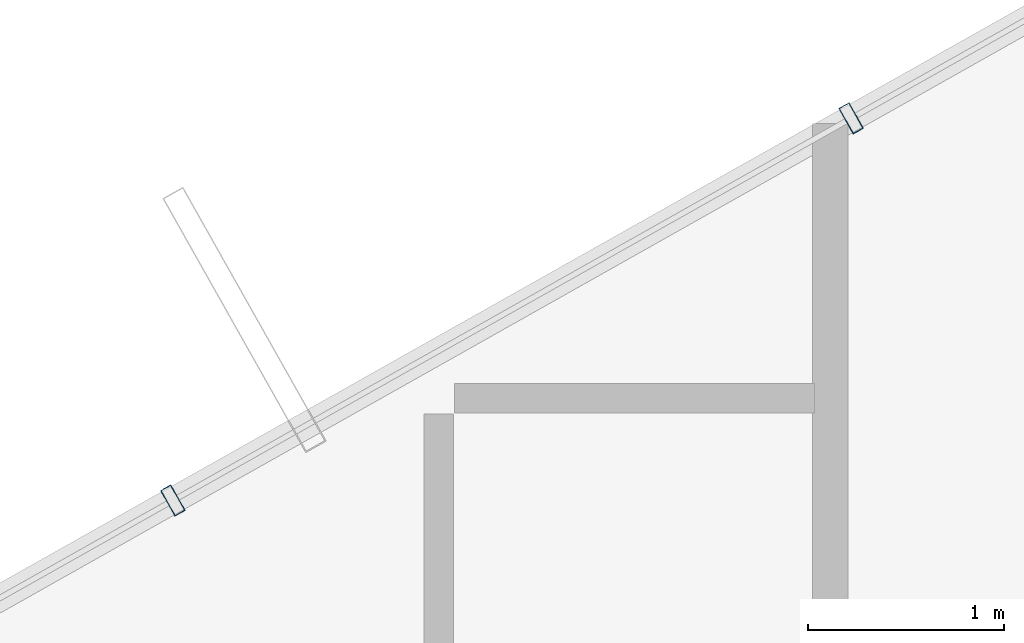
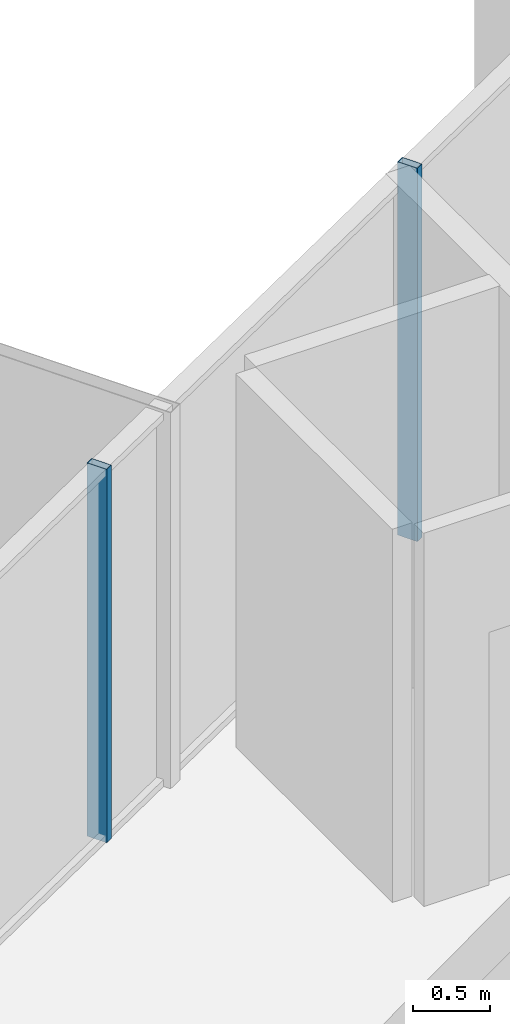
# One storey, part 19 of 30: 2 members, 1 element without a shape of its own.
"""IFC4 building model written with IfcOpenShell, lengths in metres."""

from ifc_helpers import new_model, si_unit, direction, frame, origin, origin_2d, place, context, subcontext, project, spatial, hollow_rectangle, extrude, source, transform, mapped, material, layer, layer_set, material_profile, profile_set, type_object, element, aggregate, save


model = new_model("IFC4")

# Units and contexts
model_context = context("Model", 3, precision=1e-05, world=origin(), true_north=direction((0.0, 1.0)))
body_context = subcontext(model_context, "Body", "Model", "MODEL_VIEW")
ifc_project = project(units=[si_unit("LENGTHUNIT", "METRE"), si_unit("AREAUNIT", "SQUARE_METRE"), si_unit("VOLUMEUNIT", "CUBIC_METRE"), si_unit("PLANEANGLEUNIT", "RADIAN"), si_unit("MASSUNIT", "GRAM", prefix="KILO")], contexts=[model_context])

# Site, building, storey
site_placement = place(None, origin())
site = spatial("IfcSite", under=ifc_project, at=site_placement, CompositionType="ELEMENT")
building_placement = place(site_placement, origin())
building = spatial("IfcBuilding", under=site, at=building_placement, Name="Veraguas Prism Commons", CompositionType="ELEMENT")
storey_placement = place(building_placement, frame((0.0, 0.0, 208.10009765625)))
storey = spatial("IfcBuildingStorey", under=building, at=storey_placement, Name="L59", CompositionType="ELEMENT", Elevation=208.10009765625)

# Curtain wall, members
ifc_material = material(Name="Anodised aluminium EN AW-6063 T6", Category="aluminium")
ifc_layer = layer(ifc_material, 0.14990234375, Name="Unitised Flush Curtain Wall Zone 3", Category="aluminium")
ifc_layer_set = layer_set([ifc_layer], Name="Anodised aluminium EN AW-6063 T6")
curtain_wall_type = type_object("IfcCurtainWallType", Name="Unitised Flush Curtain Wall Zone 3", PredefinedType="NOTDEFINED", material=ifc_layer_set)
curtain_wall_placement = place(storey_placement, origin())
curtain_wall = element("IfcCurtainWall", 1, at=curtain_wall_placement, inside=storey, type_object=curtain_wall_type, Name="Tower Facade Curtain Wall L59-F2", PredefinedType="NOTDEFINED")
ifc_material_profile = material_profile(ifc_material, hollow_rectangle(XDim=0.06005859375, YDim=0.14990234375, WallThickness=0.0029296875, at=origin_2d()), Name="AL60X150X3")
ifc_profile_set = profile_set([ifc_material_profile], Name="Anodised aluminium EN AW-6063 T6")
member_type = type_object("IfcMemberType", Name="Curtain Wall Mullion Upper AL 60x150x3", PredefinedType="MULLION", material=ifc_profile_set)
shared_shape = source(origin(), body_context, "Body", "SweptSolid", [
    extrude(hollow_rectangle(XDim=0.06005859375, YDim=0.14990234375, WallThickness=0.0029296875, at=origin_2d()), origin(), (0.0, 0.0, 1.0), 2.969970703125),
])
member_1_placement = place(storey_placement, frame((15.305908203125, 39.429443359375, 0.0), z_axis=(0.0, 0.0, 1.0), x_axis=(-0.871215524692, -0.490900712502, 0.0)))
member_1 = element("IfcMember", 2, at=member_1_placement, type_object=member_type, Name="CW-Z3 Mullion 3", PredefinedType="MULLION", context=body_context, shape_type="MappedRepresentation", body=[
    mapped(shared_shape, transform((0.0, 0.0, 0.0), scale=1.0)),
])
member_2_placement = place(storey_placement, frame((11.84228515625, 37.477783203125, 0.0), z_axis=(0.0, 0.0, 1.0), x_axis=(-0.871215524692, -0.490900712502, 0.0)))
member_2 = element("IfcMember", 3, at=member_2_placement, type_object=member_type, Name="CW-Z3 Mullion 4", PredefinedType="MULLION", context=body_context, shape_type="MappedRepresentation", body=[
    mapped(shared_shape, transform((0.0, 0.0, 0.0), scale=1.0)),
])
aggregate(curtain_wall, [member_1, member_2])

save(model, "model.ifc")
